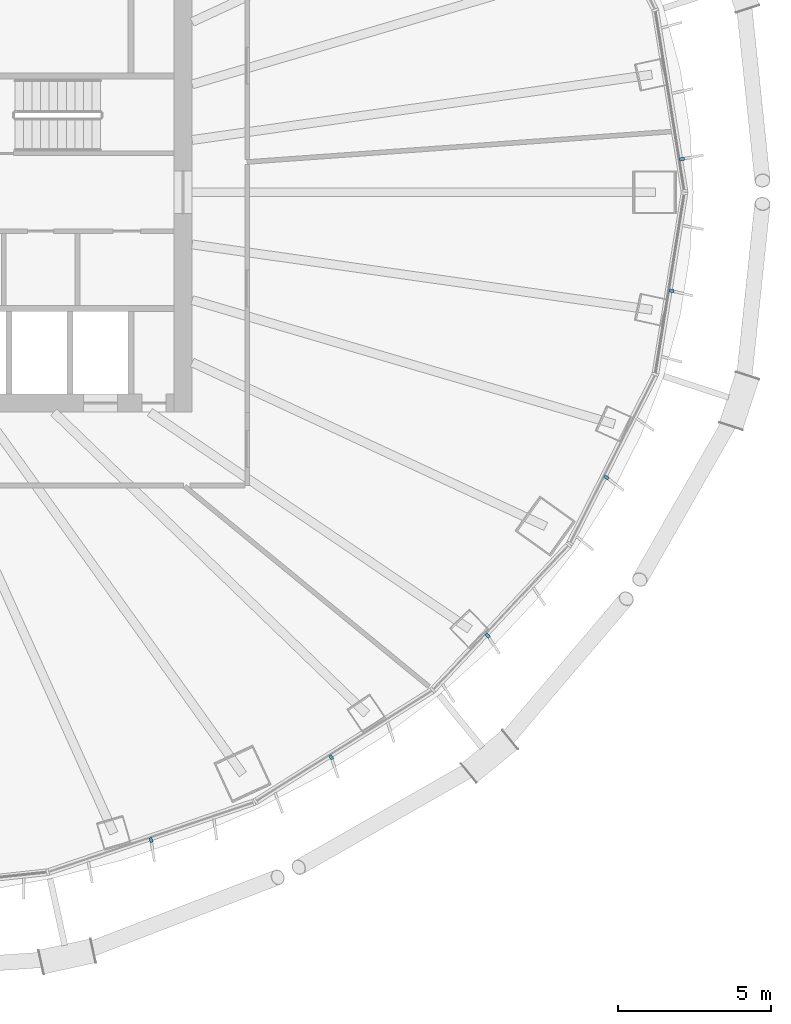
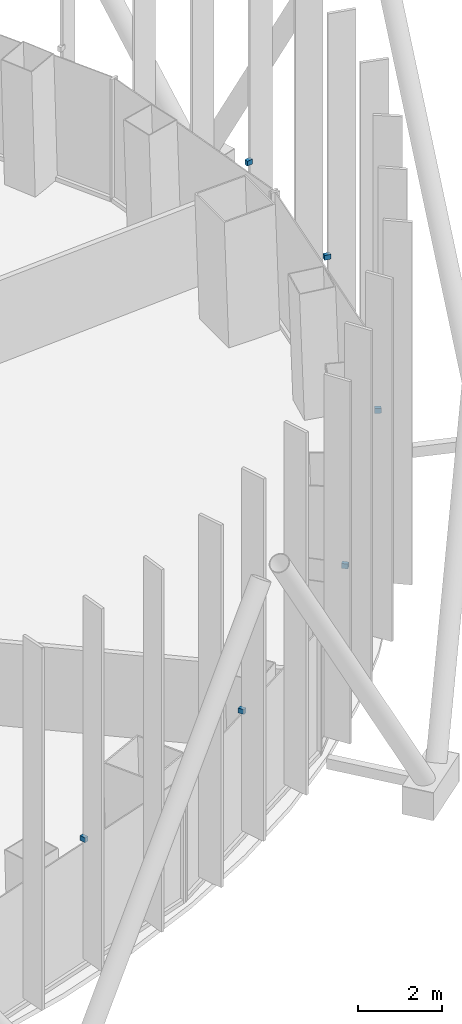
# One storey, part 16 of 22: 6 discrete accessories.
"""IFC4 building model written with IfcOpenShell, lengths in metres."""

from ifc_helpers import new_model, si_unit, direction, frame, origin, origin_2d, place, context, subcontext, project, spatial, rectangle, extrude, material, type_object, element, save


model = new_model("IFC4")

# Units and contexts
model_context = context("Model", 3, precision=1e-05, world=origin(), true_north=direction((0.0, 1.0)))
body_context = subcontext(model_context, "Body", "Model", "MODEL_VIEW")
ifc_project = project(units=[si_unit("LENGTHUNIT", "METRE"), si_unit("AREAUNIT", "SQUARE_METRE"), si_unit("VOLUMEUNIT", "CUBIC_METRE"), si_unit("PLANEANGLEUNIT", "RADIAN"), si_unit("MASSUNIT", "GRAM", prefix="KILO")], contexts=[model_context])

# Site, building, storey
site_placement = place(None, origin())
site = spatial("IfcSite", under=ifc_project, at=site_placement, CompositionType="ELEMENT")
building_placement = place(site_placement, origin())
building = spatial("IfcBuilding", under=site, at=building_placement, Name="Siaravel Broadcast Tower", CompositionType="ELEMENT")
storey_placement = place(building_placement, frame((0.0, 0.0, 37.10009765625)))
storey = spatial("IfcBuildingStorey", under=building, at=storey_placement, Name="L07", CompositionType="ELEMENT", Elevation=37.10009765625)

# Discrete accessories
ifc_material = material(Name="Stainless steel 316", Category="steel")
discrete_accessory_type = type_object("IfcDiscreteAccessoryType", Name="Stainless steel fin bracket", PredefinedType="USERDEFINED", material=ifc_material)
for number, where, z_axis, x_axis, name in (
    (1, (28.03271484375, 1.0859375, 3.68994140625), (0.0, 0.0, 1.0), (0.987329198, 0.158685394, 0.0), "Fin bracket L07-01"),
    (2, (10.65380859375, -21.203369140625, 3.68994140625), (0.0, 0.0, 1.0), (0.321300635, -0.946977245, 0.0), "Fin bracket L07-61"),
    (3, (16.550048828125, -18.4921875, 3.68994140625), (0.0, 0.0, 1.0), (0.532149452, -0.846650436, 0.0), "Fin bracket L07-64"),
    (4, (21.669921875, -14.5126953125, 3.68994140625), (0.0, 0.0, 1.0), (0.729804415, -0.683655992, 0.0), "Fin bracket L07-67"),
    (5, (25.555908203125, -9.33203125, 3.68994140625), (0.0, 0.0, 1.0), (0.892392151, -0.451260732, 0.0), "Fin bracket L07-70"),
    (6, (27.688232421875, -3.2294921875, 3.68994140625), (0.0, 0.0, 1.0), (0.987329198, -0.158685394, 0.0), "Fin bracket L07-73"),
):
    element("IfcDiscreteAccessory", number, at=place(storey_placement, frame(where, z_axis=z_axis, x_axis=x_axis)), inside=storey, type_object=discrete_accessory_type, Name=name, ObjectType="BRACKET", PredefinedType="USERDEFINED", context=body_context, shape_type="SweptSolid", body=[
        extrude(rectangle(XDim=0.159912109375, YDim=0.10009765625, at=origin_2d()), origin(), (0.0, 0.0, 1.0), 0.139892578125),
    ])

save(model, "model.ifc")
